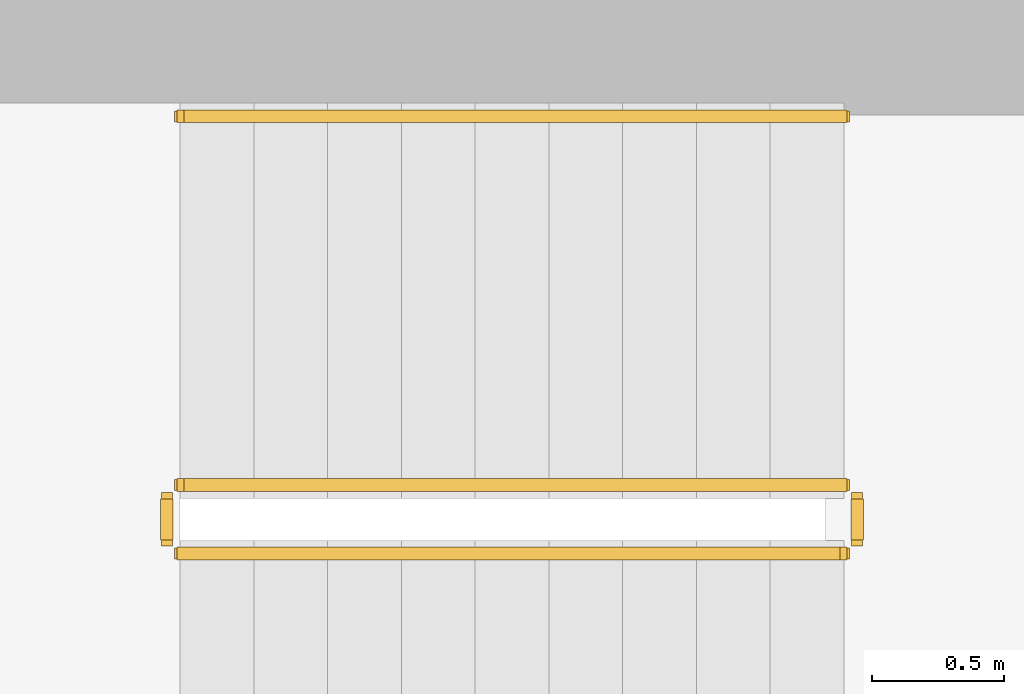
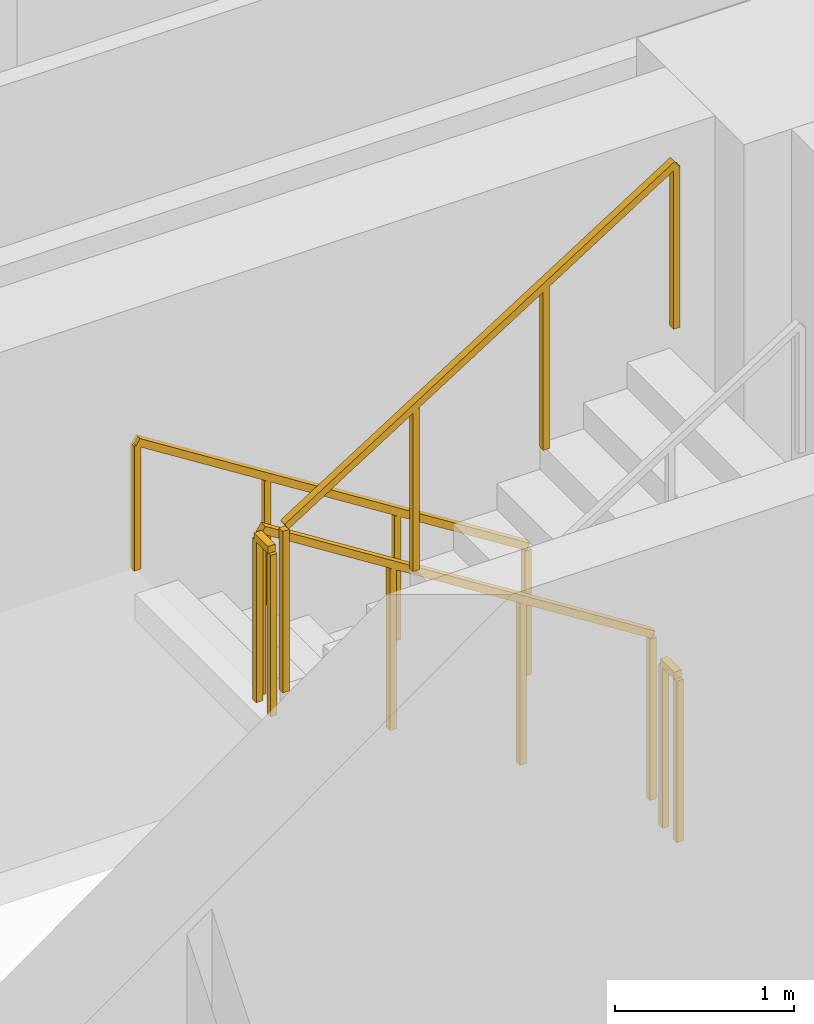
# One storey, part 12 of 13: 5 railings.
"""IFC4 building model written with IfcOpenShell, lengths in metres."""

from ifc_helpers import new_model, si_unit, direction, frame, origin, origin_2d, place, context, subcontext, project, spatial, rectangle, extrude, material, type_object, element, save


model = new_model("IFC4")

# Units and contexts
model_context = context("Model", 3, precision=1e-05, world=origin(), true_north=direction((0.0, 1.0)))
body_context = subcontext(model_context, "Body", "Model", "MODEL_VIEW")
ifc_project = project(units=[si_unit("LENGTHUNIT", "METRE"), si_unit("AREAUNIT", "SQUARE_METRE"), si_unit("VOLUMEUNIT", "CUBIC_METRE"), si_unit("PLANEANGLEUNIT", "RADIAN"), si_unit("MASSUNIT", "GRAM", prefix="KILO")], contexts=[model_context])

# Site, building, storey
site_placement = place(None, origin())
site = spatial("IfcSite", under=ifc_project, at=site_placement, CompositionType="ELEMENT")
building_placement = place(site_placement, origin())
building = spatial("IfcBuilding", under=site, at=building_placement, Name="Zarnavel Station Tower", CompositionType="ELEMENT")
storey_placement = place(building_placement, frame((0.0, 0.0, 169.64990234375)))
storey = spatial("IfcBuildingStorey", under=building, at=storey_placement, Name="L46", CompositionType="ELEMENT", Elevation=169.64990234375)

# Railings
ifc_material_1 = material(Name="Painted Steel S355J2 Balustrade", Category="steel")
railing_type_1 = type_object("IfcRailingType", Name="GR_INT_1150", PredefinedType="GUARDRAIL", material=ifc_material_1)
railing_1_placement = place(storey_placement, frame((19.47998046875, 35.3701171875, 0.177490234375)))
element("IfcRailing", 1, at=railing_1_placement, inside=storey, type_object=railing_type_1, Name="L46 ST1 stair guard 1", PredefinedType="GUARDRAIL", context=body_context, shape_type="SweptSolid", body=[
    extrude(rectangle(XDim=0.048095703125, YDim=0.048095703125, at=origin_2d()), frame((-0.001708984375, 0.0, 1.126953125), z_axis=(-0.84456994832, 0.0, 0.535445237532), x_axis=(0.0, -1.0, 0.0)), (0.0, 0.0, 1.0), 2.979736328125),
    extrude(rectangle(XDim=0.0419921875, YDim=0.0419921875, at=origin_2d()), origin(), (0.0, 0.0, 1.0), 1.101806640625),
    extrude(rectangle(XDim=0.0419921875, YDim=0.0419921875, at=origin_2d()), frame((-0.840087890625, 0.0, 0.532470703125)), (0.0, 0.0, 1.0), 1.101806640625),
    extrude(rectangle(XDim=0.0419921875, YDim=0.0419921875, at=origin_2d()), frame((-1.679931640625, 0.0, 1.065185546875)), (0.0, 0.0, 1.0), 1.101806640625),
    extrude(rectangle(XDim=0.0419921875, YDim=0.0419921875, at=origin_2d()), frame((-2.52001953125, 0.0, 1.59765625)), (0.0, 0.0, 1.0), 1.101806640625),
])
railing_2_placement = place(storey_placement, frame((16.909912109375, 35.320068359375, 1.775146484375)))
element("IfcRailing", 2, at=railing_2_placement, inside=storey, type_object=railing_type_1, Name="L46 ST1 stair guard 2", PredefinedType="GUARDRAIL", context=body_context, shape_type="SweptSolid", body=[
    extrude(rectangle(XDim=0.048095703125, YDim=0.048095703125, at=origin_2d()), frame((0.0, -0.001953125, 1.1259765625), z_axis=(0.0, -1.0, 0.0), x_axis=(1.0, 0.0, 0.0)), (0.0, 0.0, 1.0), 0.15625),
    extrude(rectangle(XDim=0.0419921875, YDim=0.0419921875, at=origin_2d()), origin(), (0.0, 0.0, 1.0), 1.101806640625),
    extrude(rectangle(XDim=0.0419921875, YDim=0.0419921875, at=origin_2d()), frame((0.0, -0.16015625, 0.0)), (0.0, 0.0, 1.0), 1.101806640625),
])
railing_3_placement = place(storey_placement, frame((16.9599609375, 35.110107421875, 1.95263671875)))
element("IfcRailing", 3, at=railing_3_placement, inside=storey, type_object=railing_type_1, Name="L46 ST1 stair guard 3", PredefinedType="GUARDRAIL", context=body_context, shape_type="SweptSolid", body=[
    extrude(rectangle(XDim=0.048095703125, YDim=0.048095703125, at=origin_2d()), frame((0.001708984375, 0.0, 1.126953125), z_axis=(0.84460694969, 0.0, 0.535386869969), x_axis=(0.0, 1.0, 0.0)), (0.0, 0.0, 1.0), 2.979736328125),
    extrude(rectangle(XDim=0.0419921875, YDim=0.0419921875, at=origin_2d()), origin(), (0.0, 0.0, 1.0), 1.101806640625),
    extrude(rectangle(XDim=0.0419921875, YDim=0.0419921875, at=origin_2d()), frame((0.840087890625, 0.0, 0.532470703125)), (0.0, 0.0, 1.0), 1.101806640625),
    extrude(rectangle(XDim=0.0419921875, YDim=0.0419921875, at=origin_2d()), frame((1.679931640625, 0.0, 1.06494140625)), (0.0, 0.0, 1.0), 1.101806640625),
    extrude(rectangle(XDim=0.0419921875, YDim=0.0419921875, at=origin_2d()), frame((2.52001953125, 0.0, 1.597412109375)), (0.0, 0.0, 1.0), 1.101806640625),
])
railing_4_placement = place(storey_placement, frame((19.530029296875, 35.320068359375, 0.0)))
element("IfcRailing", 4, at=railing_4_placement, inside=storey, type_object=railing_type_1, Name="L46 ST1 stair guard 4", PredefinedType="GUARDRAIL", context=body_context, shape_type="SweptSolid", body=[
    extrude(rectangle(XDim=0.048095703125, YDim=0.048095703125, at=origin_2d()), frame((0.0, -0.001953125, 1.1259765625), z_axis=(0.0, -1.0, 0.0), x_axis=(1.0, 0.0, 0.0)), (0.0, 0.0, 1.0), 0.15625),
    extrude(rectangle(XDim=0.0419921875, YDim=0.0419921875, at=origin_2d()), origin(), (0.0, 0.0, 1.0), 1.101806640625),
    extrude(rectangle(XDim=0.0419921875, YDim=0.0419921875, at=origin_2d()), frame((0.0, -0.16015625, 0.0)), (0.0, 0.0, 1.0), 1.101806640625),
])
ifc_material_2 = material(Name="Brushed Stainless Steel S355J2 Handrail", Category="steel")
railing_type_2 = type_object("IfcRailingType", Name="HR_STAIR_900", PredefinedType="HANDRAIL", material=ifc_material_2)
railing_5_placement = place(storey_placement, frame((19.47998046875, 36.77001953125, 0.177490234375)))
element("IfcRailing", 5, at=railing_5_placement, inside=storey, type_object=railing_type_2, Name="L46 ST1 stair handrail 1", PredefinedType="HANDRAIL", context=body_context, shape_type="SweptSolid", body=[
    extrude(rectangle(XDim=0.048095703125, YDim=0.048095703125, at=origin_2d()), frame((-0.001708984375, 0.0, 0.876953125), z_axis=(-0.84456994832, 0.0, 0.535445237532), x_axis=(0.0, -1.0, 0.0)), (0.0, 0.0, 1.0), 2.979736328125),
    extrude(rectangle(XDim=0.0419921875, YDim=0.0419921875, at=origin_2d()), origin(), (0.0, 0.0, 1.0), 0.851806640625),
    extrude(rectangle(XDim=0.0419921875, YDim=0.0419921875, at=origin_2d()), frame((-0.840087890625, 0.0, 0.532470703125)), (0.0, 0.0, 1.0), 0.851806640625),
    extrude(rectangle(XDim=0.0419921875, YDim=0.0419921875, at=origin_2d()), frame((-1.679931640625, 0.0, 1.065185546875)), (0.0, 0.0, 1.0), 0.851806640625),
    extrude(rectangle(XDim=0.0419921875, YDim=0.0419921875, at=origin_2d()), frame((-2.52001953125, 0.0, 1.59765625)), (0.0, 0.0, 1.0), 0.851806640625),
])

save(model, "model.ifc")
